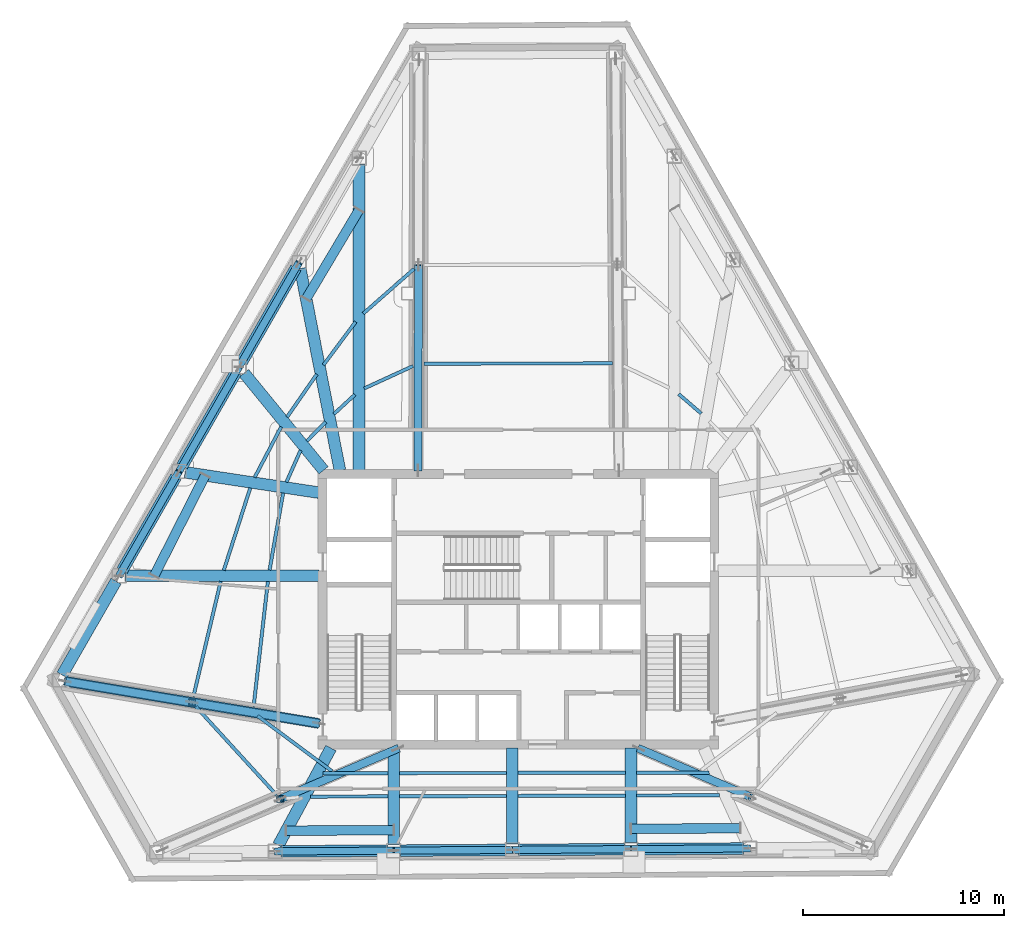
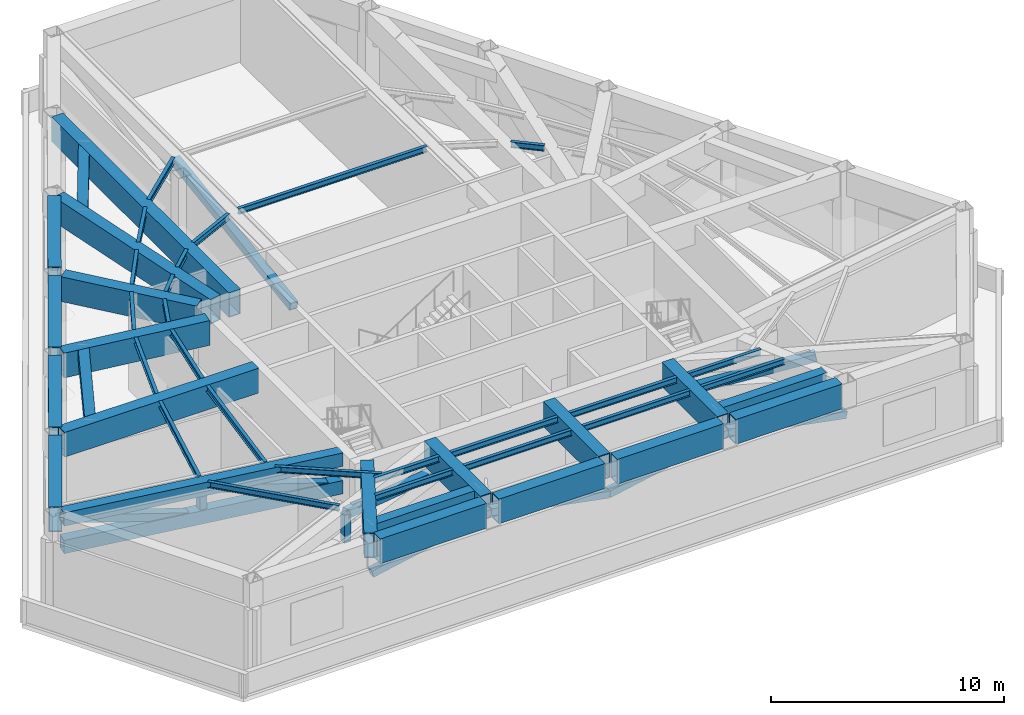
# One storey, part 2 of 13: 47 beams, 14 members.
"""IFC4 building model written with IfcOpenShell, lengths in metres."""

from ifc_helpers import new_model, si_unit, direction, frame, origin, origin_2d, place, context, subcontext, project, spatial, hollow_rectangle, i_section, extrude, material, material_profile, profile_set, type_object, element, save


model = new_model("IFC4")

# Units and contexts
model_context = context("Model", 3, precision=1e-05, world=origin(), true_north=direction((0.0, 1.0)))
body_context = subcontext(model_context, "Body", "Model", "MODEL_VIEW")
ifc_project = project(units=[si_unit("LENGTHUNIT", "METRE"), si_unit("AREAUNIT", "SQUARE_METRE"), si_unit("VOLUMEUNIT", "CUBIC_METRE"), si_unit("PLANEANGLEUNIT", "RADIAN"), si_unit("MASSUNIT", "GRAM", prefix="KILO")], contexts=[model_context])

# Site, building, storey
site_placement = place(None, origin())
site = spatial("IfcSite", under=ifc_project, at=site_placement, CompositionType="ELEMENT")
building_placement = place(site_placement, origin())
building = spatial("IfcBuilding", under=site, at=building_placement, Name="Kavelnor Concourse Tower", CompositionType="ELEMENT")
storey_placement = place(building_placement, frame((0.0, 0.0, 154.800048828125)))
storey = spatial("IfcBuildingStorey", under=building, at=storey_placement, Name="L39", CompositionType="ELEMENT", Elevation=154.800048828125)

# Beams
ifc_material = material(Name="Steel Grade 350", Category="steel")
ifc_material_profile_1 = material_profile(ifc_material, hollow_rectangle(XDim=0.47998046875, YDim=0.64990234375, WallThickness=0.030029296875, at=origin_2d()), Name="RHS 650x480x30")
ifc_profile_set_1 = profile_set([ifc_material_profile_1], Name="Steel Grade 350")
beam_type_1 = type_object("IfcBeamType", Name="BM-BELT-CHORD-650", PredefinedType="BEAM", material=ifc_profile_set_1)
beam_1_placement = place(storey_placement, frame((30.072509765625, 35.951904296875, 4.659912109375), z_axis=(-0.511452951724, -0.859311281302, 0.0), x_axis=(0.859311281302, -0.511452951724, 0.0)))
element("IfcBeam", 1, at=beam_1_placement, inside=storey, type_object=beam_type_1, Name="L39 Perimeter Belt Truss Chord F0-B1", PredefinedType="BEAM", context=body_context, shape_type="SweptSolid", body=[
    extrude(hollow_rectangle(XDim=0.47998046875, YDim=0.64990234375, WallThickness=0.030029296875, at=origin_2d()), origin(), (0.0, 0.0, 1.0), 5.13818359375),
])
beam_2_placement = place(storey_placement, frame((22.42138671875, 22.75830078125, 4.659912109375), z_axis=(-0.452608152479, -0.891709515655, 0.0), x_axis=(0.891709515655, -0.452608152479, 0.0)))
element("IfcBeam", 2, at=beam_2_placement, inside=storey, type_object=beam_type_1, Name="L39 Perimeter Belt Truss Chord F0-B4", PredefinedType="BEAM", context=body_context, shape_type="SweptSolid", body=[
    extrude(hollow_rectangle(XDim=0.47998046875, YDim=0.64990234375, WallThickness=0.030029296875, at=origin_2d()), origin(), (0.0, 0.0, 1.0), 5.603271484375),
])
beam_3_placement = place(storey_placement, frame((26.45263671875, 5.087646484375, 4.659912109375), z_axis=(0.999986676243, 0.005162105729, 0.0), x_axis=(-0.005162105729, 0.999986676243, 0.0)))
element("IfcBeam", 3, at=beam_3_placement, inside=storey, type_object=beam_type_1, Name="L39 Perimeter Belt Truss Chord F1-B1", PredefinedType="BEAM", context=body_context, shape_type="SweptSolid", body=[
    extrude(hollow_rectangle(XDim=0.47998046875, YDim=0.64990234375, WallThickness=0.030029296875, at=origin_2d()), origin(), (0.0, 0.0, 1.0), 5.34423828125),
])
beam_4_placement = place(storey_placement, frame((43.5986328125, 5.177001953125, 4.659912109375), z_axis=(0.999981102144, 0.006147792631, 0.0), x_axis=(-0.006147792631, 0.999981102144, 0.0)))
element("IfcBeam", 4, at=beam_4_placement, inside=storey, type_object=beam_type_1, Name="L39 Perimeter Belt Truss Chord F1-B4", PredefinedType="BEAM", context=body_context, shape_type="SweptSolid", body=[
    extrude(hollow_rectangle(XDim=0.47998046875, YDim=0.64990234375, WallThickness=0.030029296875, at=origin_2d()), origin(), (0.0, 0.0, 1.0), 5.4404296875),
])
ifc_material_profile_2 = material_profile(ifc_material, i_section(OverallWidth=0.166015625, OverallDepth=0.306884765625, WebThickness=0.006591796875, FlangeThickness=0.01171875, at=origin_2d()), Name="310UB46")
ifc_profile_set_2 = profile_set([ifc_material_profile_2], Name="Steel Grade 350")
beam_type_2 = type_object("IfcBeamType", Name="BM-JOIST-310", PredefinedType="JOIST", material=ifc_profile_set_2)
beam_5_placement = place(storey_placement, frame((25.025390625, 10.794921875, 4.83154296875), z_axis=(0.802899096705, -0.596114955785, 0.0), x_axis=(0.596114955785, 0.802899096705, 0.0)))
element("IfcBeam", 5, at=beam_5_placement, inside=storey, type_object=beam_type_2, Name="L39 Secondary Composite Joist 01-1", PredefinedType="JOIST", context=body_context, shape_type="SweptSolid", body=[
    extrude(i_section(OverallWidth=0.166015625, OverallDepth=0.306884765625, WebThickness=0.006591796875, FlangeThickness=0.01171875, at=origin_2d()), origin(), (0.0, 0.0, 1.0), 4.62353515625),
])
beam_6_placement = place(storey_placement, frame((21.95947265625, 11.25830078125, 4.83154296875), z_axis=(0.674263514131, -0.73849083509, 0.0), x_axis=(0.73849083509, 0.674263514131, 0.0)))
element("IfcBeam", 6, at=beam_6_placement, inside=storey, type_object=beam_type_2, Name="L39 Secondary Composite Joist 01-2", PredefinedType="JOIST", context=body_context, shape_type="SweptSolid", body=[
    extrude(i_section(OverallWidth=0.166015625, OverallDepth=0.306884765625, WebThickness=0.006591796875, FlangeThickness=0.01171875, at=origin_2d()), origin(), (0.0, 0.0, 1.0), 5.9375),
])
beam_7_placement = place(storey_placement, frame((28.27880859375, 7.939697265625, 4.83154296875), z_axis=(0.999995209674, 0.003095259218, 0.0), x_axis=(-0.003095259218, 0.999995209674, 0.0)))
element("IfcBeam", 7, at=beam_7_placement, inside=storey, type_object=beam_type_2, Name="L39 Secondary Composite Joist 03-1", PredefinedType="JOIST", context=body_context, shape_type="SweptSolid", body=[
    extrude(i_section(OverallWidth=0.166015625, OverallDepth=0.306884765625, WebThickness=0.006591796875, FlangeThickness=0.01171875, at=origin_2d()), origin(), (0.0, 0.0, 1.0), 3.23388671875),
])
beam_8_placement = place(storey_placement, frame((27.651611328125, 6.7802734375, 4.83154296875), z_axis=(0.999991811842, 0.004046757885, 0.0), x_axis=(-0.004046757885, 0.999991811842, 0.0)))
element("IfcBeam", 8, at=beam_8_placement, inside=storey, type_object=beam_type_2, Name="L39 Secondary Composite Joist 03-2", PredefinedType="JOIST", context=body_context, shape_type="SweptSolid", body=[
    extrude(i_section(OverallWidth=0.166015625, OverallDepth=0.306884765625, WebThickness=0.006591796875, FlangeThickness=0.01171875, at=origin_2d()), origin(), (0.0, 0.0, 1.0), 3.861083984375),
])
for number, where, z_axis, x_axis, name in (
    (9, (32.080810546875, 7.950927734375, 4.83154296875), (0.999998716367, 0.00160226859, 0.0), (-0.00160226859, 0.999998716367, 0.0), "L39 Secondary Composite Joist 04-1"),
    (10, (32.080810546875, 6.798095703125, 4.83154296875), (0.999995296164, 0.003067189381, 0.0), (-0.003067189381, 0.999995296164, 0.0), "L39 Secondary Composite Joist 04-2"),
    (11, (37.981689453125, 7.96044921875, 4.83154296875), (0.999998716367, 0.00160226859, 0.0), (-0.00160226859, 0.999998716367, 0.0), "L39 Secondary Composite Joist 05-1"),
    (12, (37.981689453125, 6.816162109375, 4.83154296875), (0.999995154704, 0.003112967887, 0.0), (-0.003112967887, 0.999995154704, 0.0), "L39 Secondary Composite Joist 05-2"),
):
    element("IfcBeam", number, at=place(storey_placement, frame(where, z_axis=z_axis, x_axis=x_axis)), inside=storey, type_object=beam_type_2, Name=name, PredefinedType="JOIST", context=body_context, shape_type="SweptSolid", body=[
        extrude(i_section(OverallWidth=0.166015625, OverallDepth=0.306884765625, WebThickness=0.006591796875, FlangeThickness=0.01171875, at=origin_2d()), origin(), (0.0, 0.0, 1.0), 5.3330078125),
    ])
beam_9_placement = place(storey_placement, frame((43.8828125, 7.969970703125, 4.83154296875), z_axis=(0.999998204073, 0.001895217931, 0.0), x_axis=(-0.001895217931, 0.999998204073, 0.0)))
element("IfcBeam", 13, at=beam_9_placement, inside=storey, type_object=beam_type_2, Name="L39 Secondary Composite Joist 06-1", PredefinedType="JOIST", context=body_context, shape_type="SweptSolid", body=[
    extrude(i_section(OverallWidth=0.166015625, OverallDepth=0.306884765625, WebThickness=0.006591796875, FlangeThickness=0.01171875, at=origin_2d()), origin(), (0.0, 0.0, 1.0), 3.60693359375),
])
beam_10_placement = place(storey_placement, frame((43.8828125, 6.834716796875, 4.83154296875), z_axis=(0.999992587852, 0.00385022617, 0.0), x_axis=(-0.00385022617, 0.999992587852, 0.0)))
element("IfcBeam", 14, at=beam_10_placement, inside=storey, type_object=beam_type_2, Name="L39 Secondary Composite Joist 06-2", PredefinedType="JOIST", context=body_context, shape_type="SweptSolid", body=[
    extrude(i_section(OverallWidth=0.166015625, OverallDepth=0.306884765625, WebThickness=0.006591796875, FlangeThickness=0.01171875, at=origin_2d()), origin(), (0.0, 0.0, 1.0), 4.12158203125),
])
beam_11_placement = place(storey_placement, frame((47.0927734375, 25.83251953125, 4.83154296875), z_axis=(-0.757314601119, 0.653050223897, 0.0), x_axis=(-0.653050223897, -0.757314601119, 0.0)))
element("IfcBeam", 15, at=beam_11_placement, inside=storey, type_object=beam_type_2, Name="L39 Secondary Composite Joist 13-1", PredefinedType="JOIST", context=body_context, shape_type="SweptSolid", body=[
    extrude(i_section(OverallWidth=0.166015625, OverallDepth=0.306884765625, WebThickness=0.006591796875, FlangeThickness=0.01171875, at=origin_2d()), origin(), (0.0, 0.0, 1.0), 1.484619140625),
])
beam_12_placement = place(storey_placement, frame((42.671142578125, 28.327392578125, 4.83154296875), z_axis=(-0.999998737481, -0.001589036235, 0.0), x_axis=(0.001589036235, -0.999998737481, 0.0)))
element("IfcBeam", 16, at=beam_12_placement, inside=storey, type_object=beam_type_2, Name="L39 Secondary Composite Joist 15-1", PredefinedType="JOIST", context=body_context, shape_type="SweptSolid", body=[
    extrude(i_section(OverallWidth=0.166015625, OverallDepth=0.306884765625, WebThickness=0.006591796875, FlangeThickness=0.01171875, at=origin_2d()), origin(), (0.0, 0.0, 1.0), 9.3720703125),
])
beam_13_placement = place(storey_placement, frame((32.757080078125, 28.193603515625, 4.83154296875), z_axis=(-0.908869894913, -0.417079745517, 0.0), x_axis=(0.417079745517, -0.908869894913, 0.0)))
element("IfcBeam", 17, at=beam_13_placement, inside=storey, type_object=beam_type_2, Name="L39 Secondary Composite Joist 16-1", PredefinedType="JOIST", context=body_context, shape_type="SweptSolid", body=[
    extrude(i_section(OverallWidth=0.166015625, OverallDepth=0.306884765625, WebThickness=0.006591796875, FlangeThickness=0.01171875, at=origin_2d()), origin(), (0.0, 0.0, 1.0), 2.669921875),
])
beam_14_placement = place(storey_placement, frame((32.814697265625, 33.0283203125, 4.83154296875), z_axis=(-0.751213930567, -0.660058808381, 0.0), x_axis=(0.660058808381, -0.751213930567, 0.0)))
element("IfcBeam", 18, at=beam_14_placement, inside=storey, type_object=beam_type_2, Name="L39 Secondary Composite Joist 16-2", PredefinedType="JOIST", context=body_context, shape_type="SweptSolid", body=[
    extrude(i_section(OverallWidth=0.166015625, OverallDepth=0.306884765625, WebThickness=0.006591796875, FlangeThickness=0.01171875, at=origin_2d()), origin(), (0.0, 0.0, 1.0), 3.36669921875),
])
beam_15_placement = place(storey_placement, frame((29.86376953125, 26.76904296875, 4.83154296875), z_axis=(-0.734704695574, -0.678387065252, 0.0), x_axis=(0.678387065252, -0.734704695574, 0.0)))
element("IfcBeam", 19, at=beam_15_placement, inside=storey, type_object=beam_type_2, Name="L39 Secondary Composite Joist 17-1", PredefinedType="JOIST", context=body_context, shape_type="SweptSolid", body=[
    extrude(i_section(OverallWidth=0.166015625, OverallDepth=0.306884765625, WebThickness=0.006591796875, FlangeThickness=0.01171875, at=origin_2d()), origin(), (0.0, 0.0, 1.0), 1.421875),
])
beam_16_placement = place(storey_placement, frame((29.902587890625, 30.39111328125, 4.83154296875), z_axis=(-0.597716367951, -0.801707642151, 0.0), x_axis=(0.801707642151, -0.597716367951, 0.0)))
element("IfcBeam", 20, at=beam_16_placement, inside=storey, type_object=beam_type_2, Name="L39 Secondary Composite Joist 17-2", PredefinedType="JOIST", context=body_context, shape_type="SweptSolid", body=[
    extrude(i_section(OverallWidth=0.166015625, OverallDepth=0.306884765625, WebThickness=0.006591796875, FlangeThickness=0.01171875, at=origin_2d()), origin(), (0.0, 0.0, 1.0), 2.67138671875),
])
beam_17_placement = place(storey_placement, frame((28.410888671875, 25.409423828125, 4.83154296875), z_axis=(-0.702200672126, -0.711979084008, 0.0), x_axis=(0.711979084008, -0.702200672126, 0.0)))
element("IfcBeam", 21, at=beam_17_placement, inside=storey, type_object=beam_type_2, Name="L39 Secondary Composite Joist 18-1", PredefinedType="JOIST", context=body_context, shape_type="SweptSolid", body=[
    extrude(i_section(OverallWidth=0.166015625, OverallDepth=0.306884765625, WebThickness=0.006591796875, FlangeThickness=0.01171875, at=origin_2d()), origin(), (0.0, 0.0, 1.0), 1.3232421875),
])
beam_18_placement = place(storey_placement, frame((27.974365234375, 27.78857421875, 4.83154296875), z_axis=(-0.570159362537, -0.821534114515, 0.0), x_axis=(0.821534114515, -0.570159362537, 0.0)))
element("IfcBeam", 22, at=beam_18_placement, inside=storey, type_object=beam_type_2, Name="L39 Secondary Composite Joist 18-2", PredefinedType="JOIST", context=body_context, shape_type="SweptSolid", body=[
    extrude(i_section(OverallWidth=0.166015625, OverallDepth=0.306884765625, WebThickness=0.006591796875, FlangeThickness=0.01171875, at=origin_2d()), origin(), (0.0, 0.0, 1.0), 2.59326171875),
])
beam_19_placement = place(storey_placement, frame((27.1669921875, 24.005615234375, 4.83154296875), z_axis=(-0.405511291111, -0.91409003538, 0.0), x_axis=(0.91409003538, -0.405511291111, 0.0)))
element("IfcBeam", 23, at=beam_19_placement, inside=storey, type_object=beam_type_2, Name="L39 Secondary Composite Joist 19-1", PredefinedType="JOIST", context=body_context, shape_type="SweptSolid", body=[
    extrude(i_section(OverallWidth=0.166015625, OverallDepth=0.306884765625, WebThickness=0.006591796875, FlangeThickness=0.01171875, at=origin_2d()), origin(), (0.0, 0.0, 1.0), 1.73388671875),
])
beam_20_placement = place(storey_placement, frame((26.2021484375, 25.17333984375, 4.83154296875), z_axis=(-0.464071182748, -0.88579790999, 0.0), x_axis=(0.88579790999, -0.464071182748, 0.0)))
element("IfcBeam", 24, at=beam_20_placement, inside=storey, type_object=beam_type_2, Name="L39 Secondary Composite Joist 19-2", PredefinedType="JOIST", context=body_context, shape_type="SweptSolid", body=[
    extrude(i_section(OverallWidth=0.166015625, OverallDepth=0.306884765625, WebThickness=0.006591796875, FlangeThickness=0.01171875, at=origin_2d()), origin(), (0.0, 0.0, 1.0), 2.842529296875),
])
beam_21_placement = place(storey_placement, frame((26.299560546875, 21.88134765625, 4.83154296875), z_axis=(-0.173571007245, -0.984821357122, 0.0), x_axis=(0.984821357122, -0.173571007245, 0.0)))
element("IfcBeam", 25, at=beam_21_placement, inside=storey, type_object=beam_type_2, Name="L39 Secondary Composite Joist 20-1", PredefinedType="JOIST", context=body_context, shape_type="SweptSolid", body=[
    extrude(i_section(OverallWidth=0.166015625, OverallDepth=0.306884765625, WebThickness=0.006591796875, FlangeThickness=0.01171875, at=origin_2d()), origin(), (0.0, 0.0, 1.0), 3.89892578125),
])
beam_22_placement = place(storey_placement, frame((24.664306640625, 22.133544921875, 4.83154296875), z_axis=(-0.305922956984, -0.952056271651, 0.0), x_axis=(0.952056271651, -0.305922956984, 0.0)))
element("IfcBeam", 26, at=beam_22_placement, inside=storey, type_object=beam_type_2, Name="L39 Secondary Composite Joist 20-2", PredefinedType="JOIST", context=body_context, shape_type="SweptSolid", body=[
    extrude(i_section(OverallWidth=0.166015625, OverallDepth=0.306884765625, WebThickness=0.006591796875, FlangeThickness=0.01171875, at=origin_2d()), origin(), (0.0, 0.0, 1.0), 4.307861328125),
])
beam_23_placement = place(storey_placement, frame((25.541259765625, 17.4794921875, 4.83154296875), z_axis=(-0.113437935108, -0.993545084472, 0.0), x_axis=(0.993545084472, -0.113437935108, 0.0)))
element("IfcBeam", 27, at=beam_23_placement, inside=storey, type_object=beam_type_2, Name="L39 Secondary Composite Joist 21-1", PredefinedType="JOIST", context=body_context, shape_type="SweptSolid", body=[
    extrude(i_section(OverallWidth=0.166015625, OverallDepth=0.306884765625, WebThickness=0.006591796875, FlangeThickness=0.01171875, at=origin_2d()), origin(), (0.0, 0.0, 1.0), 6.273681640625),
])
beam_24_placement = place(storey_placement, frame((23.194091796875, 17.485595703125, 4.83154296875), z_axis=(-0.23060041976, -0.9730485324, 0.0), x_axis=(0.9730485324, -0.23060041976, 0.0)))
element("IfcBeam", 28, at=beam_24_placement, inside=storey, type_object=beam_type_2, Name="L39 Secondary Composite Joist 21-2", PredefinedType="JOIST", context=body_context, shape_type="SweptSolid", body=[
    extrude(i_section(OverallWidth=0.166015625, OverallDepth=0.306884765625, WebThickness=0.006591796875, FlangeThickness=0.01171875, at=origin_2d()), origin(), (0.0, 0.0, 1.0), 5.900146484375),
])
ifc_material_profile_3 = material_profile(ifc_material, hollow_rectangle(XDim=0.5, YDim=0.699951171875, WallThickness=0.031982421875, at=origin_2d()), Name="RHS 700x500x32")
ifc_profile_set_3 = profile_set([ifc_material_profile_3], Name="Steel Grade 350")
beam_type_3 = type_object("IfcBeamType", Name="BM-OUTRIG-CHORD-700", PredefinedType="BEAM", material=ifc_profile_set_3)
for number, where, z_axis, x_axis, name in (
    (29, (28.07958984375, 10.41845703125, 3.179931640625), (-0.986451099394, 0.164055565297, 0.0), (-0.164055565297, -0.986451099394, 0.0), "L39 Outrigger Truss Bottom Chord F0B"),
    (30, (28.07958984375, 10.41845703125, 4.625), (-0.986451099394, 0.164055565297, 0.0), (-0.164055565297, -0.986451099394, 0.0), "L39 Outrigger Truss Top Chord F0B"),
):
    element("IfcBeam", number, at=place(storey_placement, frame(where, z_axis=z_axis, x_axis=x_axis)), inside=storey, type_object=beam_type_3, Name=name, PredefinedType="BEAM", context=body_context, shape_type="SweptSolid", body=[
        extrude(hollow_rectangle(XDim=0.5, YDim=0.699951171875, WallThickness=0.031982421875, at=origin_2d()), origin(), (0.0, 0.0, 1.0), 12.796630859375),
    ])
ifc_material_profile_4 = material_profile(ifc_material, hollow_rectangle(XDim=0.580078125, YDim=1.300048828125, WallThickness=0.0400390625, at=origin_2d()), Name="RHS 1300x580x40")
ifc_profile_set_4 = profile_set([ifc_material_profile_4], Name="Steel Grade 350")
beam_type_4 = type_object("IfcBeamType", Name="BM-SETBACK-XFER-1350", PredefinedType="BEAM", material=ifc_profile_set_4)
beam_25_placement = place(storey_placement, frame((26.937255859375, 33.0791015625, 4.3349609375), z_axis=(-0.49807799561, -0.867132233451, 0.0), x_axis=(0.867132233451, -0.49807799561, 0.0)))
element("IfcBeam", 31, at=beam_25_placement, inside=storey, type_object=beam_type_4, Name="L39 Perimeter Tube Spandrel Beam F0-B2", PredefinedType="BEAM", context=body_context, shape_type="SweptSolid", body=[
    extrude(hollow_rectangle(XDim=0.580078125, YDim=1.300048828125, WallThickness=0.0400390625, at=origin_2d()), origin(), (0.0, 0.0, 1.0), 5.379638671875),
])
beam_26_placement = place(storey_placement, frame((23.953857421875, 27.88525390625, 4.3349609375), z_axis=(-0.498058395377, -0.867143491468, 0.0), x_axis=(0.867143491468, -0.498058395377, 0.0)))
element("IfcBeam", 32, at=beam_26_placement, inside=storey, type_object=beam_type_4, Name="L39 Perimeter Tube Spandrel Beam F0-B3", PredefinedType="BEAM", context=body_context, shape_type="SweptSolid", body=[
    extrude(hollow_rectangle(XDim=0.580078125, YDim=1.300048828125, WallThickness=0.0400390625, at=origin_2d()), origin(), (0.0, 0.0, 1.0), 5.3798828125),
])
for number, where, z_axis, x_axis, name in (
    (33, (20.970458984375, 22.691162109375, 4.3349609375), (-0.49807799561, -0.867132233451, 0.0), (0.867132233451, -0.49807799561, 0.0), "L39 Perimeter Tube Spandrel Beam F0-B4"),
    (34, (17.9873046875, 17.497314453125, 4.3349609375), (-0.498112118732, -0.867112632345, 0.0), (0.867112632345, -0.498112118732, 0.0), "L39 Perimeter Tube Spandrel Beam F0-B5"),
):
    element("IfcBeam", number, at=place(storey_placement, frame(where, z_axis=z_axis, x_axis=x_axis)), inside=storey, type_object=beam_type_4, Name=name, PredefinedType="BEAM", context=body_context, shape_type="SweptSolid", body=[
        extrude(hollow_rectangle(XDim=0.580078125, YDim=1.300048828125, WallThickness=0.0400390625, at=origin_2d()), origin(), (0.0, 0.0, 1.0), 5.379638671875),
    ])
beam_27_placement = place(storey_placement, frame((26.20068359375, 4.059814453125, 4.3349609375), z_axis=(0.999980885226, 0.006182975204, 0.0), x_axis=(-0.006182975204, 0.999980885226, 0.0)))
element("IfcBeam", 35, at=beam_27_placement, inside=storey, type_object=beam_type_4, Name="L39 Perimeter Tube Spandrel Beam F1-B1", PredefinedType="BEAM", context=body_context, shape_type="SweptSolid", body=[
    extrude(hollow_rectangle(XDim=0.580078125, YDim=1.300048828125, WallThickness=0.0400390625, at=origin_2d()), origin(), (0.0, 0.0, 1.0), 5.291015625),
])
beam_28_placement = place(storey_placement, frame((32.101806640625, 4.09619140625, 4.3349609375), z_axis=(0.999980883462, 0.006183260504, 0.0), x_axis=(-0.006183260504, 0.999980883462, 0.0)))
element("IfcBeam", 36, at=beam_28_placement, inside=storey, type_object=beam_type_4, Name="L39 Perimeter Tube Spandrel Beam F1-B2", PredefinedType="BEAM", context=body_context, shape_type="SweptSolid", body=[
    extrude(hollow_rectangle(XDim=0.580078125, YDim=1.300048828125, WallThickness=0.0400390625, at=origin_2d()), origin(), (0.0, 0.0, 1.0), 5.290771484375),
])
beam_29_placement = place(storey_placement, frame((38.002685546875, 4.132568359375, 4.3349609375), z_axis=(0.999980885226, 0.006182975204, 0.0), x_axis=(-0.006182975204, 0.999980885226, 0.0)))
element("IfcBeam", 37, at=beam_29_placement, inside=storey, type_object=beam_type_4, Name="L39 Perimeter Tube Spandrel Beam F1-B3", PredefinedType="BEAM", context=body_context, shape_type="SweptSolid", body=[
    extrude(hollow_rectangle(XDim=0.580078125, YDim=1.300048828125, WallThickness=0.0400390625, at=origin_2d()), origin(), (0.0, 0.0, 1.0), 5.291015625),
])
beam_30_placement = place(storey_placement, frame((43.90380859375, 4.1689453125, 4.3349609375), z_axis=(0.999980883462, 0.006183260504, 0.0), x_axis=(-0.006183260504, 0.999980883462, 0.0)))
element("IfcBeam", 38, at=beam_30_placement, inside=storey, type_object=beam_type_4, Name="L39 Perimeter Tube Spandrel Beam F1-B4", PredefinedType="BEAM", context=body_context, shape_type="SweptSolid", body=[
    extrude(hollow_rectangle(XDim=0.580078125, YDim=1.300048828125, WallThickness=0.0400390625, at=origin_2d()), origin(), (0.0, 0.0, 1.0), 5.290771484375),
])
beam_31_placement = place(storey_placement, frame((30.072509765625, 23.0, 4.3349609375), z_axis=(0.0, 1.0, 0.0), x_axis=(-1.0, 0.0, 0.0)))
element("IfcBeam", 39, at=beam_31_placement, inside=storey, type_object=beam_type_4, Name="L39 Primary Floor Girder F0-B1", PredefinedType="BEAM", context=body_context, shape_type="SweptSolid", body=[
    extrude(hollow_rectangle(XDim=0.580078125, YDim=1.300048828125, WallThickness=0.0400390625, at=origin_2d()), origin(), (0.0, 0.0, 1.0), 15.237548828125),
])
beam_32_placement = place(storey_placement, frame((29.1240234375, 23.000732421875, 4.3349609375), z_axis=(-0.193055367732, 0.98118786427, 0.0), x_axis=(-0.98118786427, -0.193055367732, 0.0)))
element("IfcBeam", 40, at=beam_32_placement, inside=storey, type_object=beam_type_4, Name="L39 Primary Floor Girder F0-B2", PredefinedType="BEAM", context=body_context, shape_type="SweptSolid", body=[
    extrude(hollow_rectangle(XDim=0.580078125, YDim=1.300048828125, WallThickness=0.0400390625, at=origin_2d()), origin(), (0.0, 0.0, 1.0), 10.234619140625),
])
beam_33_placement = place(storey_placement, frame((28.3095703125, 23.009033203125, 4.3349609375), z_axis=(-0.63303541682, 0.77412283331, 0.0), x_axis=(-0.77412283331, -0.63303541682, 0.0)))
element("IfcBeam", 41, at=beam_33_placement, inside=storey, type_object=beam_type_4, Name="L39 Primary Floor Girder F0-B3", PredefinedType="BEAM", context=body_context, shape_type="SweptSolid", body=[
    extrude(hollow_rectangle(XDim=0.580078125, YDim=1.300048828125, WallThickness=0.0400390625, at=origin_2d()), origin(), (0.0, 0.0, 1.0), 6.24169921875),
])
beam_34_placement = place(storey_placement, frame((28.07958984375, 21.897705078125, 4.3349609375), z_axis=(-0.988635947165, 0.150329517969, 0.0), x_axis=(-0.150329517969, -0.988635947165, 0.0)))
element("IfcBeam", 42, at=beam_34_placement, inside=storey, type_object=beam_type_4, Name="L39 Primary Floor Girder F0-B4", PredefinedType="BEAM", context=body_context, shape_type="SweptSolid", body=[
    extrude(hollow_rectangle(XDim=0.580078125, YDim=1.300048828125, WallThickness=0.0400390625, at=origin_2d()), origin(), (0.0, 0.0, 1.0), 6.733154296875),
])
beam_35_placement = place(storey_placement, frame((28.080078125, 17.76171875, 4.3349609375), z_axis=(-1.0, 0.0, 0.0), x_axis=(0.0, -1.0, 0.0)))
element("IfcBeam", 43, at=beam_35_placement, inside=storey, type_object=beam_type_4, Name="L39 Primary Floor Girder F0-B5", PredefinedType="BEAM", context=body_context, shape_type="SweptSolid", body=[
    extrude(hollow_rectangle(XDim=0.580078125, YDim=1.300048828125, WallThickness=0.0400390625, at=origin_2d()), origin(), (0.0, 0.0, 1.0), 9.640869140625),
])
beam_36_placement = place(storey_placement, frame((28.67431640625, 9.1953125, 4.3349609375), z_axis=(-0.475707561007, -0.879603499539, 0.0), x_axis=(0.879603499539, -0.475707561007, 0.0)))
element("IfcBeam", 44, at=beam_36_placement, inside=storey, type_object=beam_type_4, Name="L39 Primary Floor Girder F1-B1", PredefinedType="BEAM", context=body_context, shape_type="SweptSolid", body=[
    extrude(hollow_rectangle(XDim=0.580078125, YDim=1.300048828125, WallThickness=0.0400390625, at=origin_2d()), origin(), (0.0, 0.0, 1.0), 5.493896484375),
])
beam_37_placement = place(storey_placement, frame((31.796875, 9.199951171875, 4.3349609375), z_axis=(0.0, -1.0, 0.0), x_axis=(1.0, 0.0, 0.0)))
element("IfcBeam", 45, at=beam_37_placement, inside=storey, type_object=beam_type_4, Name="L39 Primary Floor Girder F1-B2", PredefinedType="BEAM", context=body_context, shape_type="SweptSolid", body=[
    extrude(hollow_rectangle(XDim=0.580078125, YDim=1.300048828125, WallThickness=0.0400390625, at=origin_2d()), origin(), (0.0, 0.0, 1.0), 4.8056640625),
])
beam_38_placement = place(storey_placement, frame((37.69775390625, 9.199951171875, 4.3349609375), z_axis=(0.0, -1.0, 0.0), x_axis=(1.0, 0.0, 0.0)))
element("IfcBeam", 46, at=beam_38_placement, inside=storey, type_object=beam_type_4, Name="L39 Primary Floor Girder F1-B3", PredefinedType="BEAM", context=body_context, shape_type="SweptSolid", body=[
    extrude(hollow_rectangle(XDim=0.580078125, YDim=1.300048828125, WallThickness=0.0400390625, at=origin_2d()), origin(), (0.0, 0.0, 1.0), 4.769287109375),
])
beam_39_placement = place(storey_placement, frame((43.5986328125, 9.199951171875, 4.3349609375), z_axis=(0.0, -1.0, 0.0), x_axis=(1.0, 0.0, 0.0)))
element("IfcBeam", 47, at=beam_39_placement, inside=storey, type_object=beam_type_4, Name="L39 Primary Floor Girder F1-B4", PredefinedType="BEAM", context=body_context, shape_type="SweptSolid", body=[
    extrude(hollow_rectangle(XDim=0.580078125, YDim=1.300048828125, WallThickness=0.0400390625, at=origin_2d()), origin(), (0.0, 0.0, 1.0), 4.73291015625),
])

# Members
ifc_material_profile_5 = material_profile(ifc_material, hollow_rectangle(XDim=0.360107421875, YDim=0.360107421875, WallThickness=0.02197265625, at=origin_2d()), Name="SHS 360x360x22")
ifc_profile_set_5 = profile_set([ifc_material_profile_5], Name="Steel Grade 350")
member_type_1 = type_object("IfcMemberType", Name="MBR-BELT-DIAG-360", PredefinedType="BRACE", material=ifc_profile_set_5)
for number, where, z_axis, x_axis, name in (
    (48, (24.105712890625, 28.149658203125, 3.179931640625), (0.489076372198, 0.851441140928, 0.189346998107), (-0.86712726734, 0.498086641294, 0.0), "L39 Perimeter Belt Truss Diagonal F0-B2"),
    (49, (24.105712890625, 28.149658203125, 3.179931640625), (-0.489076372198, -0.851441140928, 0.189346998107), (0.86712726734, -0.498086641294, 0.0), "L39 Perimeter Belt Truss Diagonal F0-B3"),
    (50, (18.13916015625, 17.76171875, 3.179931640625), (0.489029256563, 0.8514688136, 0.189344251805), (-0.867154982138, 0.498038389036, 0.0), "L39 Perimeter Belt Truss Diagonal F0-B4"),
):
    element("IfcMember", number, at=place(storey_placement, frame(where, z_axis=z_axis, x_axis=x_axis)), inside=storey, type_object=member_type_1, Name=name, PredefinedType="BRACE", context=body_context, shape_type="SweptSolid", body=[
        extrude(hollow_rectangle(XDim=0.360107421875, YDim=0.360107421875, WallThickness=0.02197265625, at=origin_2d()), origin(), (0.0, 0.0, 1.0), 6.10009765625),
    ])
member_1_placement = place(storey_placement, frame((25.895751953125, 4.05810546875, 3.179931640625), z_axis=(0.981360224214, 0.006049508643, 0.192082049595), x_axis=(-0.006164294778, 0.999981000554, 0.0)))
element("IfcMember", 51, at=member_1_placement, inside=storey, type_object=member_type_1, Name="L39 Perimeter Belt Truss Diagonal F1-B1", PredefinedType="BRACE", context=body_context, shape_type="SweptSolid", body=[
    extrude(hollow_rectangle(XDim=0.360107421875, YDim=0.360107421875, WallThickness=0.02197265625, at=origin_2d()), origin(), (0.0, 0.0, 1.0), 6.01318359375),
])
for number, where, z_axis, x_axis, name in (
    (52, (37.69775390625, 4.130615234375, 3.179931640625), (-0.9813589649, -0.006009148813, 0.192089750225), (0.006123178546, -0.999981253167, 0.0), "L39 Perimeter Belt Truss Diagonal F1-B2"),
    (53, (37.69775390625, 4.130615234375, 3.179931640625), (0.981358724653, 0.006049749689, 0.1920897032), (-0.006164549808, 0.999980998982, 0.0), "L39 Perimeter Belt Truss Diagonal F1-B3"),
):
    element("IfcMember", number, at=place(storey_placement, frame(where, z_axis=z_axis, x_axis=x_axis)), inside=storey, type_object=member_type_1, Name=name, PredefinedType="BRACE", context=body_context, shape_type="SweptSolid", body=[
        extrude(hollow_rectangle(XDim=0.360107421875, YDim=0.360107421875, WallThickness=0.02197265625, at=origin_2d()), origin(), (0.0, 0.0, 1.0), 6.012939453125),
    ])
member_2_placement = place(storey_placement, frame((49.499755859375, 4.20361328125, 3.179931640625), z_axis=(-0.981359982369, -0.006090107871, 0.192082002258), x_axis=(0.006205664296, -0.99998074468, 0.0)))
element("IfcMember", 54, at=member_2_placement, inside=storey, type_object=member_type_1, Name="L39 Perimeter Belt Truss Diagonal F1-B4", PredefinedType="BRACE", context=body_context, shape_type="SweptSolid", body=[
    extrude(hollow_rectangle(XDim=0.360107421875, YDim=0.360107421875, WallThickness=0.02197265625, at=origin_2d()), origin(), (0.0, 0.0, 1.0), 6.01318359375),
])
ifc_material_profile_6 = material_profile(ifc_material, hollow_rectangle(XDim=0.39990234375, YDim=0.39990234375, WallThickness=0.02490234375, at=origin_2d()), Name="SHS 400x400x25")
ifc_profile_set_6 = profile_set([ifc_material_profile_6], Name="Steel Grade 350")
member_type_2 = type_object("IfcMemberType", Name="MBR-OUTRIG-DIAG-400", PredefinedType="BRACE", material=ifc_profile_set_6)
member_3_placement = place(storey_placement, frame((33.001220703125, 23.0, 3.179931640625), z_axis=(0.002602890933, 0.9901397108, 0.140059194824), x_axis=(-0.999996544692, 0.002628802694, 0.0)))
element("IfcMember", 55, at=member_3_placement, inside=storey, type_object=member_type_2, Name="L39 Outrigger Truss Inner Diagonal F0A", PredefinedType="BRACE", context=body_context, shape_type="SweptSolid", body=[
    extrude(hollow_rectangle(XDim=0.39990234375, YDim=0.39990234375, WallThickness=0.02490234375, at=origin_2d()), origin(), (0.0, 0.0, 1.0), 10.317626953125),
])
member_4_placement = place(storey_placement, frame((28.07958984375, 10.41845703125, 3.179931640625), z_axis=(-0.962219954672, 0.160004006697, 0.220298607964), x_axis=(-0.164033913114, -0.9864547001, 0.0)))
element("IfcMember", 56, at=member_4_placement, inside=storey, type_object=member_type_2, Name="L39 Outrigger Truss Inner Diagonal F0B", PredefinedType="BRACE", context=body_context, shape_type="SweptSolid", body=[
    extrude(hollow_rectangle(XDim=0.39990234375, YDim=0.39990234375, WallThickness=0.02490234375, at=origin_2d()), origin(), (0.0, 0.0, 1.0), 6.5595703125),
])
member_5_placement = place(storey_placement, frame((21.767822265625, 11.468017578125, 3.179931640625), z_axis=(-0.962211464191, 0.160046004024, 0.220305185539), x_axis=(-0.164077218081, -0.9864474981, 0.0)))
element("IfcMember", 57, at=member_5_placement, inside=storey, type_object=member_type_2, Name="L39 Outrigger Truss Outer Diagonal F0B", PredefinedType="BRACE", context=body_context, shape_type="SweptSolid", body=[
    extrude(hollow_rectangle(XDim=0.39990234375, YDim=0.39990234375, WallThickness=0.02490234375, at=origin_2d()), origin(), (0.0, 0.0, 1.0), 6.559326171875),
])
member_6_placement = place(storey_placement, frame((32.010986328125, 9.17578125, 3.179931640625), z_axis=(-0.89627199546, -0.384431489132, 0.221153657709), x_axis=(0.394192089036, -0.919028071901, 0.0)))
element("IfcMember", 58, at=member_6_placement, inside=storey, type_object=member_type_2, Name="L39 Outrigger Truss Inner Diagonal F1A", PredefinedType="BRACE", context=body_context, shape_type="SweptSolid", body=[
    extrude(hollow_rectangle(XDim=0.39990234375, YDim=0.39990234375, WallThickness=0.02490234375, at=origin_2d()), origin(), (0.0, 0.0, 1.0), 6.5341796875),
])
member_7_placement = place(storey_placement, frame((43.981201171875, 9.17578125, 3.179931640625), z_axis=(0.892852341299, -0.385911756056, 0.23213533375), x_axis=(0.396749566476, 0.917926893332, 0.0)))
element("IfcMember", 59, at=member_7_placement, inside=storey, type_object=member_type_2, Name="L39 Outrigger Truss Inner Diagonal F1B", PredefinedType="BRACE", context=body_context, shape_type="SweptSolid", body=[
    extrude(hollow_rectangle(XDim=0.39990234375, YDim=0.39990234375, WallThickness=0.02490234375, at=origin_2d()), origin(), (0.0, 0.0, 1.0), 6.22509765625),
])
ifc_material_profile_7 = material_profile(ifc_material, hollow_rectangle(XDim=0.340087890625, YDim=0.340087890625, WallThickness=0.02001953125, at=origin_2d()), Name="SHS 340x340x20")
ifc_profile_set_7 = profile_set([ifc_material_profile_7], Name="Steel Grade 350")
member_type_3 = type_object("IfcMemberType", Name="MBR-TRUSS-POST-340", PredefinedType="POST", material=ifc_profile_set_7)
for number, where, z_axis, x_axis, name in (
    (60, (21.767822265625, 11.468017578125, 3.179931640625), (0.0, 0.0, 1.0), (1.0, 0.0, 0.0), "L39 Outrigger Truss Web Post F0B"),
    (61, (26.154541015625, 6.663818359375, 3.179931640625), (0.0, 0.0, 1.0), (1.0, 0.0, 0.0), "L39 Outrigger Truss Web Post F1A"),
):
    element("IfcMember", number, at=place(storey_placement, frame(where, z_axis=z_axis, x_axis=x_axis)), inside=storey, type_object=member_type_3, Name=name, PredefinedType="POST", context=body_context, shape_type="SweptSolid", body=[
        extrude(hollow_rectangle(XDim=0.340087890625, YDim=0.340087890625, WallThickness=0.02001953125, at=origin_2d()), origin(), (0.0, 0.0, 1.0), 1.445068359375),
    ])

save(model, "model.ifc")
